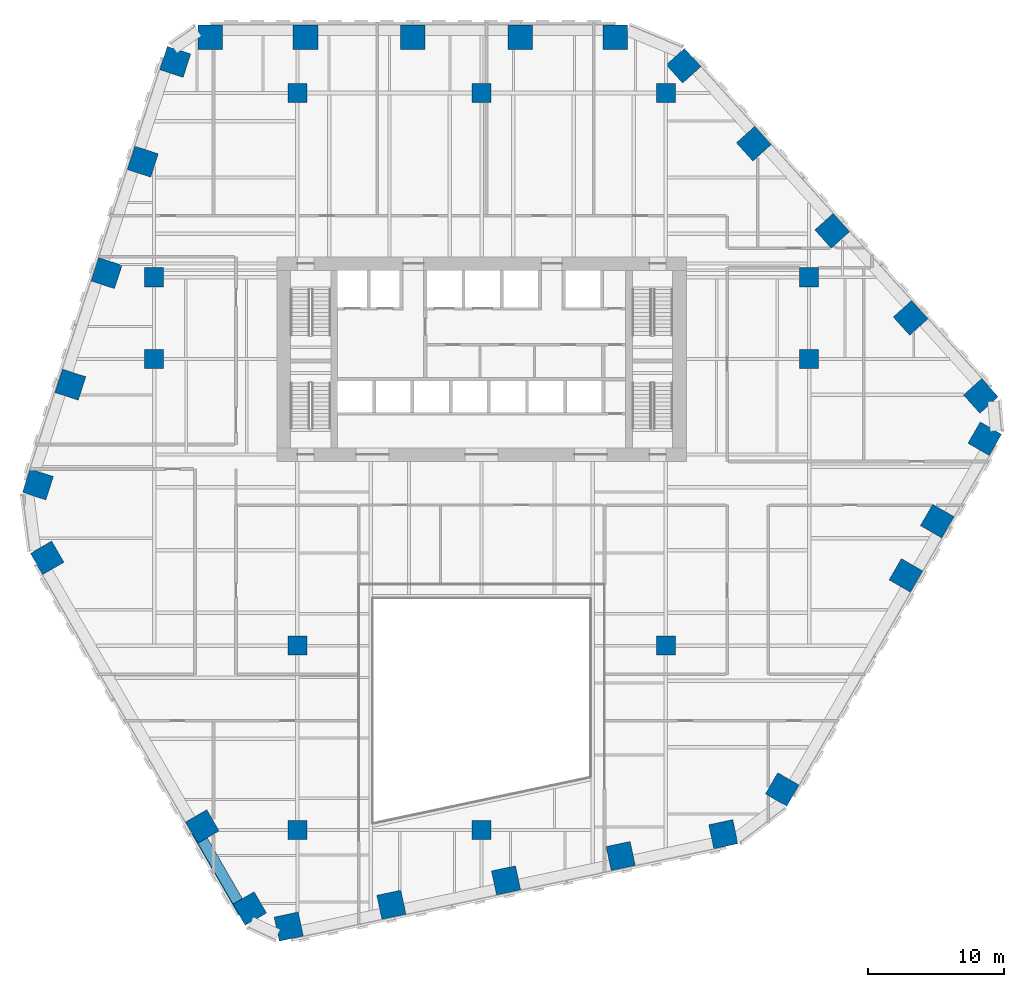
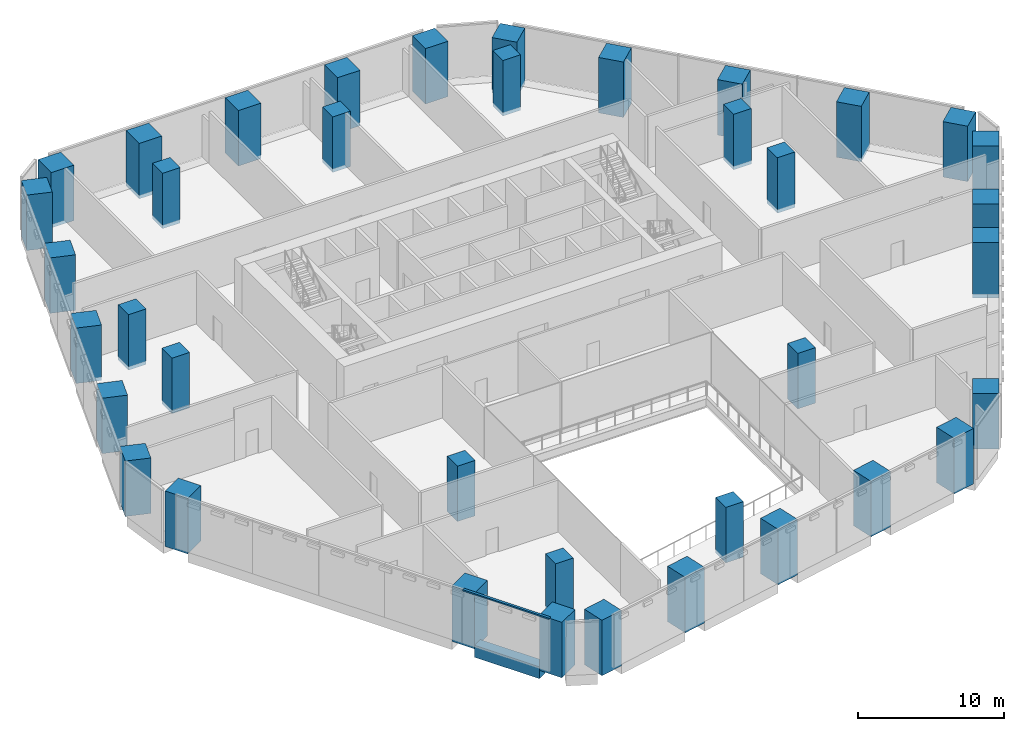
# One storey, part 1 of 19: 38 columns, 1 beam, 1 member, 1 element without a shape of its own.
"""IFC4 building model written with IfcOpenShell, lengths in metres."""

from ifc_helpers import new_model, si_unit, direction, frame, origin, origin_2d, place, context, subcontext, project, spatial, rectangle, extrude, material, layer, layer_set, material_profile, profile_set, type_object, element, aggregate, save


model = new_model("IFC4")

# Units and contexts
model_context = context("Model", 3, precision=1e-05, world=origin(), true_north=direction((0.0, 1.0)))
body_context = subcontext(model_context, "Body", "Model", "MODEL_VIEW")
ifc_project = project(units=[si_unit("LENGTHUNIT", "METRE"), si_unit("AREAUNIT", "SQUARE_METRE"), si_unit("VOLUMEUNIT", "CUBIC_METRE"), si_unit("PLANEANGLEUNIT", "RADIAN"), si_unit("MASSUNIT", "GRAM", prefix="KILO")], contexts=[model_context])

# Site, building, storey
site_placement = place(None, origin())
site = spatial("IfcSite", under=ifc_project, at=site_placement, CompositionType="ELEMENT")
building_placement = place(site_placement, origin())
building = spatial("IfcBuilding", under=site, at=building_placement, Name="Isthmus Gate Tower", CompositionType="ELEMENT")
storey_placement = place(building_placement, frame((0.0, 0.0, 76.14990234375)))
storey = spatial("IfcBuildingStorey", under=building, at=storey_placement, Name="L17", CompositionType="ELEMENT", Elevation=76.14990234375)

# Columns
ifc_material_1 = material(Name="Concrete f'c 70 MPa", Category="concrete")
ifc_material_profile_1 = material_profile(ifc_material_1, rectangle(XDim=1.39990234375, YDim=1.39990234375, at=origin_2d()), Name="RC 1400X1400")
ifc_profile_set_1 = profile_set([ifc_material_profile_1], Name="Concrete f'c 70 MPa")
column_type_1 = type_object("IfcColumnType", Name="RC INTERIOR COLUMN 1400 X 1400", PredefinedType="COLUMN", material=ifc_profile_set_1)
for number, where, z_axis, x_axis, name in (
    (1, (-24.0, 7.5, -0.2998046875), (0.0, 0.0, 1.0), (1.0, 0.0, 0.0), "str-icol-L17-ICA3"),
    (2, (-24.0, 13.5, -0.2998046875), (0.0, 0.0, 1.0), (1.0, 0.0, 0.0), "str-icol-L17-ICA4"),
    (3, (-13.5, -27.0, -0.2998046875), (0.0, 0.0, 1.0), (1.0, 0.0, 0.0), "str-icol-L17-ICB1"),
    (4, (-13.5, -13.5, -0.2998046875), (0.0, 0.0, 1.0), (1.0, 0.0, 0.0), "str-icol-L17-ICB2"),
    (5, (-13.5, 27.0, -0.2998046875), (0.0, 0.0, 1.0), (1.0, 0.0, 0.0), "str-icol-L17-ICB5"),
    (6, (0.0, -27.0, -0.2998046875), (0.0, 0.0, 1.0), (1.0, 0.0, 0.0), "str-icol-L17-ICC1"),
    (7, (0.0, 27.0, -0.2998046875), (0.0, 0.0, 1.0), (1.0, 0.0, 0.0), "str-icol-L17-ICC5"),
    (8, (13.5, -13.5, -0.2998046875), (0.0, 0.0, 1.0), (1.0, 0.0, 0.0), "str-icol-L17-ICD2"),
    (9, (13.5, 27.0, -0.2998046875), (0.0, 0.0, 1.0), (1.0, 0.0, 0.0), "str-icol-L17-ICD5"),
    (10, (24.0, 7.5, -0.2998046875), (0.0, 0.0, 1.0), (1.0, 0.0, 0.0), "str-icol-L17-ICE3"),
    (11, (24.0, 13.5, -0.2998046875), (0.0, 0.0, 1.0), (1.0, 0.0, 0.0), "str-icol-L17-ICE4"),
):
    element("IfcColumn", number, at=place(storey_placement, frame(where, z_axis=z_axis, x_axis=x_axis)), inside=storey, type_object=column_type_1, Name=name, PredefinedType="COLUMN", context=body_context, shape_type="SweptSolid", body=[
        extrude(rectangle(XDim=1.39990234375, YDim=1.39990234375, at=origin_2d()), origin(), (0.0, 0.0, 1.0), 4.64990234375),
    ])
ifc_material_2 = material(Name="Concrete f'c 70 MPa", Category="concrete")
ifc_material_profile_2 = material_profile(ifc_material_2, rectangle(XDim=1.800048828125, YDim=1.800048828125, at=origin_2d()), Name="RC 1800X1800")
ifc_profile_set_2 = profile_set([ifc_material_profile_2], Name="Concrete f'c 70 MPa")
column_type_2 = type_object("IfcColumnType", Name="RC TUBE COLUMN 1800 X 1800", PredefinedType="COLUMN", material=ifc_profile_set_2)
for number, where, z_axis, x_axis, name in (
    (12, (9.8017578125, 31.10009765625, -0.2998046875), (0.0, 0.0, 1.0), (-1.0, 0.0, 0.0), "str-tcol-L17-T1N0"),
    (13, (2.832275390625, 31.10009765625, -0.2998046875), (0.0, 0.0, 1.0), (-1.0, 0.0, 0.0), "str-tcol-L17-T1N1"),
    (14, (-5.037109375, 31.10009765625, -0.2998046875), (0.0, 0.0, 1.0), (-1.0, 0.0, 0.0), "str-tcol-L17-T1N2"),
    (15, (-12.90673828125, 31.10009765625, -0.2998046875), (0.0, 0.0, 1.0), (-1.0, 0.0, 0.0), "str-tcol-L17-T1N3"),
    (16, (-19.876220703125, 31.10009765625, -0.2998046875), (0.0, 0.0, 1.0), (-1.0, 0.0, 0.0), "str-tcol-L17-T1N4"),
    (17, (-22.451171875, 29.281005859375, -0.2998046875), (0.0, 0.0, 1.0), (-0.309016994375, -0.951056516295, 0.0), "str-tcol-L17-T1NW0"),
    (18, (-24.827392578125, 21.9677734375, -0.2998046875), (0.0, 0.0, 1.0), (-0.309016994375, -0.951056516295, 0.0), "str-tcol-L17-T1NW1"),
    (19, (-27.481689453125, 13.798828125, -0.2998046875), (0.0, 0.0, 1.0), (-0.309016994375, -0.951056516295, 0.0), "str-tcol-L17-T1NW2"),
    (20, (-30.135986328125, 5.6298828125, -0.2998046875), (0.0, 0.0, 1.0), (-0.309016994375, -0.951056516295, 0.0), "str-tcol-L17-T1NW3"),
    (21, (-32.511962890625, -1.68310546875, -0.2998046875), (0.0, 0.0, 1.0), (-0.309016994375, -0.951056516295, 0.0), "str-tcol-L17-T1NW4"),
    (22, (-31.834228515625, -7.061279296875, -0.2998046875), (0.0, 0.0, 1.0), (0.5, -0.866025403784, 0.0), "str-tcol-L17-T1SW0"),
    (23, (-20.467041015625, -26.75, -0.2998046875), (0.0, 0.0, 1.0), (0.5, -0.866025403784, 0.0), "str-tcol-L17-T1SW2"),
    (24, (-16.995361328125, -32.763427734375, -0.2998046875), (0.0, 0.0, 1.0), (0.5, -0.866025403784, 0.0), "str-tcol-L17-T1SW3"),
    (25, (-14.13232421875, -34.083740234375, -0.2998046875), (0.0, 0.0, 1.0), (0.978147600734, 0.207911690818, 0.0), "str-tcol-L17-T1S0"),
    (26, (-6.611083984375, -32.485107421875, -0.2998046875), (0.0, 0.0, 1.0), (0.978147600734, 0.207911690818, 0.0), "str-tcol-L17-T1S1"),
    (27, (1.79052734375, -30.69921875, -0.2998046875), (0.0, 0.0, 1.0), (0.978147600734, 0.207911690818, 0.0), "str-tcol-L17-T1S2"),
    (28, (10.192138671875, -28.91357421875, -0.2998046875), (0.0, 0.0, 1.0), (0.978147600734, 0.207911690818, 0.0), "str-tcol-L17-T1S3"),
    (29, (17.713623046875, -27.314697265625, -0.2998046875), (0.0, 0.0, 1.0), (0.978147600734, 0.207911690818, 0.0), "str-tcol-L17-T1S4"),
    (30, (22.032470703125, -24.03857421875, -0.2998046875), (0.0, 0.0, 1.0), (0.5, 0.866025403784, 0.0), "str-tcol-L17-T1SE0"),
    (31, (31.09033203125, -8.35009765625, -0.2998046875), (0.0, 0.0, 1.0), (0.5, 0.866025403784, 0.0), "str-tcol-L17-T1SE1"),
    (32, (33.38671875, -4.37255859375, -0.2998046875), (0.0, 0.0, 1.0), (0.5, 0.866025403784, 0.0), "str-tcol-L17-T1SE2"),
    (33, (36.87158203125, 1.663330078125, -0.2998046875), (0.0, 0.0, 1.0), (0.5, 0.866025403784, 0.0), "str-tcol-L17-T1SE3"),
    (34, (36.583740234375, 4.802978515625, -0.2998046875), (0.0, 0.0, 1.0), (-0.669130606359, 0.743144825477, 0.0), "str-tcol-L17-T1NE0"),
    (35, (31.4384765625, 10.517333984375, -0.2998046875), (0.0, 0.0, 1.0), (-0.669130606359, 0.743144825477, 0.0), "str-tcol-L17-T1NE1"),
    (36, (25.691162109375, 16.900390625, -0.2998046875), (0.0, 0.0, 1.0), (-0.669130606359, 0.743144825477, 0.0), "str-tcol-L17-T1NE2"),
    (37, (19.943603515625, 23.283447265625, -0.2998046875), (0.0, 0.0, 1.0), (-0.669130606359, 0.743144825477, 0.0), "str-tcol-L17-T1NE3"),
    (38, (14.798583984375, 28.997802734375, -0.2998046875), (0.0, 0.0, 1.0), (-0.669130606359, 0.743144825477, 0.0), "str-tcol-L17-T1NE4"),
):
    element("IfcColumn", number, at=place(storey_placement, frame(where, z_axis=z_axis, x_axis=x_axis)), inside=storey, type_object=column_type_2, Name=name, PredefinedType="COLUMN", context=body_context, shape_type="SweptSolid", body=[
        extrude(rectangle(XDim=1.800048828125, YDim=1.800048828125, at=origin_2d()), origin(), (0.0, 0.0, 1.0), 4.64990234375),
    ])

# Curtain wall, member
ifc_material_3 = material(Name="Aluminium, pale champagne anodised", Category="aluminium")
ifc_layer = layer(ifc_material_3, 0.199951171875)
ifc_layer_set = layer_set([ifc_layer], Name="CW-2 LOUVRE CURTAIN WALL 200 DEEP")
curtain_wall_type = type_object("IfcCurtainWallType", Name="CW-2 LOUVRE CURTAIN WALL 200 DEEP", PredefinedType="NOTDEFINED", material=ifc_layer_set)
curtain_wall_placement = place(storey_placement, origin())
curtain_wall = element("IfcCurtainWall", 39, at=curtain_wall_placement, inside=storey, type_object=curtain_wall_type, Name="CW-2 SW L17", PredefinedType="NOTDEFINED")
ifc_material_4 = material(Name="Aluminium, pale champagne anodised", Category="aluminium")
ifc_material_profile_3 = material_profile(ifc_material_4, rectangle(XDim=0.199951171875, YDim=0.1201171875, at=origin_2d()), Name="200x120")
ifc_profile_set_3 = profile_set([ifc_material_profile_3], Name="Aluminium, pale champagne anodised")
member_type = type_object("IfcMemberType", Name="CW-2 TRANSOM 200 X 120", PredefinedType="USERDEFINED", material=ifc_profile_set_3)
member_placement = place(storey_placement, frame((-21.302978515625, -27.302001953125, 4.440185546875), z_axis=(0.499980345582, -0.86603675097, 0.0), x_axis=(0.86603675097, 0.499980345582, 0.0)))
member = element("IfcMember", 40, at=member_placement, type_object=member_type, Name="CW-2 transom", ObjectType="TRANSOM", PredefinedType="USERDEFINED", context=body_context, shape_type="SweptSolid", body=[
    extrude(rectangle(XDim=0.199951171875, YDim=0.1201171875, at=origin_2d()), origin(), (0.0, 0.0, 1.0), 6.883544921875),
])
aggregate(curtain_wall, [member])

# Beam
ifc_material_5 = material(Name="Concrete f'c 70 MPa", Category="concrete")
ifc_material_profile_4 = material_profile(ifc_material_5, rectangle(XDim=0.800048828125, YDim=1.0, at=origin_2d()), Name="RC 800X1000")
ifc_profile_set_4 = profile_set([ifc_material_profile_4], Name="Concrete f'c 70 MPa")
beam_type = type_object("IfcBeamType", Name="RC SPANDREL 800 X 1000", PredefinedType="SPANDREL", material=ifc_profile_set_4)
beam_placement = place(storey_placement, frame((-17.878173828125, -32.23388671875, -0.5), z_axis=(-0.500044296292, 0.865999827798, 0.0), x_axis=(-0.865999827798, -0.500044296292, 0.0)))
element("IfcBeam", 41, at=beam_placement, inside=storey, type_object=beam_type, Name="str-spandrel-L17-15", PredefinedType="SPANDREL", context=body_context, shape_type="SweptSolid", body=[
    extrude(rectangle(XDim=0.800048828125, YDim=1.0, at=origin_2d()), origin(), (0.0, 0.0, 1.0), 5.1435546875),
])

save(model, "model.ifc")
